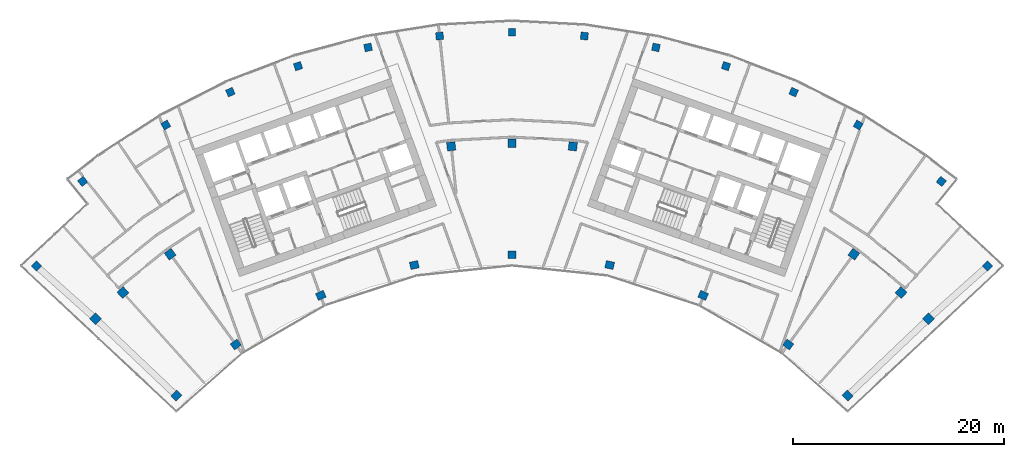
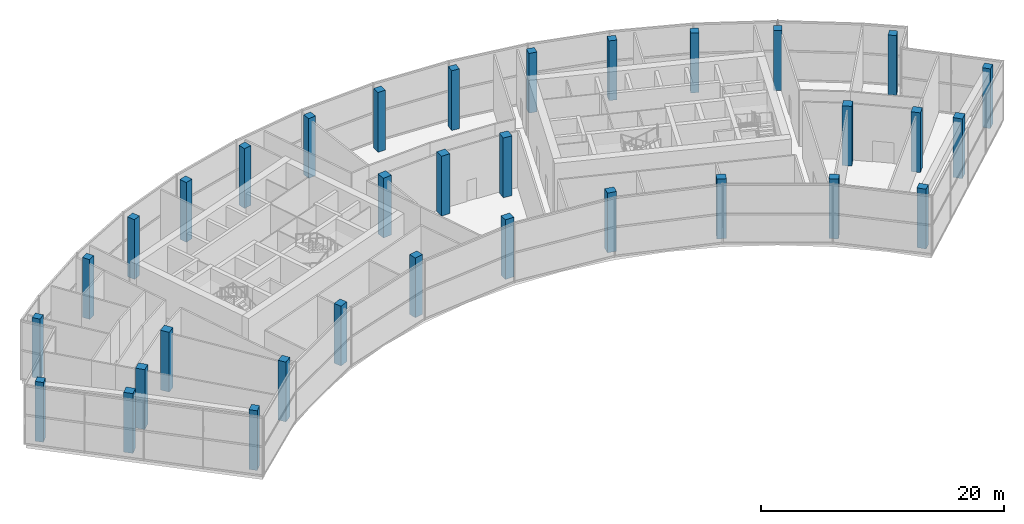
# One storey, part 1 of 18: 33 columns.
"""IFC4 building model written with IfcOpenShell, lengths in metres."""

from ifc_helpers import new_model, si_unit, direction, frame, origin, origin_2d, place, context, subcontext, project, spatial, rectangle, extrude, material, material_profile, profile_set, type_object, element, save


model = new_model("IFC4")

# Units and contexts
model_context = context("Model", 3, precision=1e-05, world=origin(), true_north=direction((0.0, 1.0)))
body_context = subcontext(model_context, "Body", "Model", "MODEL_VIEW")
ifc_project = project(units=[si_unit("LENGTHUNIT", "METRE"), si_unit("AREAUNIT", "SQUARE_METRE"), si_unit("VOLUMEUNIT", "CUBIC_METRE"), si_unit("PLANEANGLEUNIT", "RADIAN"), si_unit("MASSUNIT", "GRAM", prefix="KILO")], contexts=[model_context])

# Site, building, storey
site_placement = place(None, origin())
site = spatial("IfcSite", under=ifc_project, at=site_placement, CompositionType="ELEMENT")
building_placement = place(site_placement, origin())
building = spatial("IfcBuilding", under=site, at=building_placement, Name="Stone Belt Terrace Tower", CompositionType="ELEMENT")
storey_placement = place(building_placement, frame((0.0, 0.0, 307.39990234375)))
storey = spatial("IfcBuildingStorey", under=building, at=storey_placement, Name="L75", CompositionType="ELEMENT", Elevation=307.39990234375)

# Columns
ifc_material = material(Name="Concrete B60", Category="concrete")
ifc_material_profile_1 = material_profile(ifc_material, rectangle(XDim=0.699951171875, YDim=0.699951171875, at=origin_2d()), Name="RC 700x700")
ifc_profile_set_1 = profile_set([ifc_material_profile_1], Name="Concrete B60")
column_type_1 = type_object("IfcColumnType", Name="Column RC 700x700 B60", PredefinedType="COLUMN", material=ifc_profile_set_1)
for number, where, z_axis, x_axis, name in (
    (1, (-44.97705078125, 43.381103515625, 0.0), (0.0, 0.0, 1.0), (0.694221333646, 0.719761585465, 0.0), "Column L75 RA"),
    (2, (44.97705078125, 43.381103515625, 0.0), (0.0, 0.0, 1.0), (0.694221333646, -0.719761585465, 0.0), "Column L75 RB"),
    (3, (-40.605712890625, 51.380615234375, 0.0), (0.0, 0.0, 1.0), (0.784569718703, 0.620040608746, 0.0), "Column L75 RNA"),
    (4, (-32.744384765625, 56.715087890625, 0.0), (0.0, 0.0, 1.0), (0.866025403784, 0.5, 0.0), "Column L75 R17"),
    (5, (-26.63671875, 59.8271484375, 0.0), (0.0, 0.0, 1.0), (0.913545457643, 0.406736643076, 0.0), "Column L75 R18"),
    (6, (-20.2373046875, 62.28369140625, 0.0), (0.0, 0.0, 1.0), (0.951056516295, 0.309016994375, 0.0), "Column L75 R19"),
    (7, (-13.615966796875, 64.057861328125, 0.0), (0.0, 0.0, 1.0), (0.978147600734, 0.207911690818, 0.0), "Column L75 R20"),
    (8, (-6.845458984375, 65.130126953125, 0.0), (0.0, 0.0, 1.0), (0.994521895368, 0.104528463268, 0.0), "Column L75 R21"),
    (9, (0.0, 65.489013671875, 0.0), (0.0, 0.0, 1.0), (1.0, 0.0, 0.0), "Column L75 R22"),
    (10, (6.845458984375, 65.130126953125, 0.0), (0.0, 0.0, 1.0), (0.994521895368, -0.104528463268, 0.0), "Column L75 R23"),
    (11, (13.615966796875, 64.057861328125, 0.0), (0.0, 0.0, 1.0), (0.978147600734, -0.207911690818, 0.0), "Column L75 R24"),
    (12, (20.2373046875, 62.28369140625, 0.0), (0.0, 0.0, 1.0), (0.951056516295, -0.309016994375, 0.0), "Column L75 R25"),
    (13, (26.63671875, 59.8271484375, 0.0), (0.0, 0.0, 1.0), (0.913545457643, -0.406736643076, 0.0), "Column L75 R26"),
    (14, (32.744384765625, 56.715087890625, 0.0), (0.0, 0.0, 1.0), (0.866025403784, -0.5, 0.0), "Column L75 R27"),
    (15, (40.605712890625, 51.380615234375, 0.0), (0.0, 0.0, 1.0), (0.784569718703, -0.620040608746, 0.0), "Column L75 RNB"),
):
    element("IfcColumn", number, at=place(storey_placement, frame(where, z_axis=z_axis, x_axis=x_axis)), inside=storey, type_object=column_type_1, Name=name, PredefinedType="COLUMN", context=body_context, shape_type="SweptSolid", body=[
        extrude(rectangle(XDim=0.699951171875, YDim=0.699951171875, at=origin_2d()), origin(), (0.0, 0.0, 1.0), 6.0),
    ])
ifc_material_profile_2 = material_profile(ifc_material, rectangle(XDim=0.800048828125, YDim=0.699951171875, at=origin_2d()), Name="RC 800x700")
ifc_profile_set_2 = profile_set([ifc_material_profile_2], Name="Concrete B60")
column_type_2 = type_object("IfcColumnType", Name="Column RC 800x700 B60", PredefinedType="COLUMN", material=ifc_profile_set_2)
for number, where, z_axis, x_axis, name in (
    (16, (-31.73486328125, 31.11669921875, 0.0), (0.0, 0.0, 1.0), (0.700119596097, 0.714025595592, 0.0), "Column L75 PA"),
    (17, (-26.1240234375, 35.956787109375, 0.0), (0.0, 0.0, 1.0), (0.809016994375, 0.587785252292, 0.0), "Column L75 P16"),
    (18, (-18.077392578125, 40.6025390625, 0.0), (0.0, 0.0, 1.0), (0.913545457643, 0.406736643076, 0.0), "Column L75 P18"),
    (19, (-9.240478515625, 43.473876953125, 0.0), (0.0, 0.0, 1.0), (0.978147600734, 0.207911690818, 0.0), "Column L75 P20"),
    (20, (0.0, 44.445068359375, 0.0), (0.0, 0.0, 1.0), (1.0, 0.0, 0.0), "Column L75 P22"),
    (21, (9.240478515625, 43.473876953125, 0.0), (0.0, 0.0, 1.0), (0.978147600734, -0.207911690818, 0.0), "Column L75 P24"),
    (22, (18.077392578125, 40.6025390625, 0.0), (0.0, 0.0, 1.0), (0.913545457643, -0.406736643076, 0.0), "Column L75 P26"),
    (23, (26.1240234375, 35.956787109375, 0.0), (0.0, 0.0, 1.0), (0.809016994375, -0.587785252292, 0.0), "Column L75 P28"),
    (24, (31.73486328125, 31.11669921875, 0.0), (0.0, 0.0, 1.0), (0.700119596097, -0.714025595592, 0.0), "Column L75 PB"),
):
    element("IfcColumn", number, at=place(storey_placement, frame(where, z_axis=z_axis, x_axis=x_axis)), inside=storey, type_object=column_type_2, Name=name, PredefinedType="COLUMN", context=body_context, shape_type="SweptSolid", body=[
        extrude(rectangle(XDim=0.800048828125, YDim=0.699951171875, at=origin_2d()), origin(), (0.0, 0.0, 1.0), 6.0),
    ])
ifc_material_profile_3 = material_profile(ifc_material, rectangle(XDim=0.800048828125, YDim=0.800048828125, at=origin_2d()), Name="RC 800x800")
ifc_profile_set_3 = profile_set([ifc_material_profile_3], Name="Concrete B60")
column_type_3 = type_object("IfcColumnType", Name="Column RC 800x800 B60", PredefinedType="COLUMN", material=ifc_profile_set_3)
for number, where, z_axis, x_axis, name in (
    (25, (-39.38818359375, 38.386962890625, 0.0), (0.0, 0.0, 1.0), (0.697944216238, 0.716152128406, 0.0), "Column L75 QA"),
    (26, (-36.80224609375, 40.873046875, 0.0), (0.0, 0.0, 1.0), (0.743144825477, 0.669130606359, 0.0), "Column L75 Q15"),
    (27, (-32.328125, 44.495849609375, 0.0), (0.0, 0.0, 1.0), (0.809016994375, 0.587785252292, 0.0), "Column L75 Q16"),
    (28, (-5.7490234375, 54.69873046875, 0.0), (0.0, 0.0, 1.0), (0.994521895368, 0.104528463268, 0.0), "Column L75 Q21"),
    (29, (0.0, 55.0, 0.0), (0.0, 0.0, 1.0), (1.0, 0.0, 0.0), "Column L75 Q22"),
    (30, (5.7490234375, 54.69873046875, 0.0), (0.0, 0.0, 1.0), (0.994521895368, -0.104528463268, 0.0), "Column L75 Q23"),
    (31, (32.328125, 44.495849609375, 0.0), (0.0, 0.0, 1.0), (0.809016994375, -0.587785252292, 0.0), "Column L75 Q28"),
    (32, (36.80224609375, 40.873046875, 0.0), (0.0, 0.0, 1.0), (0.743144825477, -0.669130606359, 0.0), "Column L75 Q29"),
    (33, (39.38818359375, 38.386962890625, 0.0), (0.0, 0.0, 1.0), (0.697944216238, -0.716152128406, 0.0), "Column L75 QB"),
):
    element("IfcColumn", number, at=place(storey_placement, frame(where, z_axis=z_axis, x_axis=x_axis)), inside=storey, type_object=column_type_3, Name=name, PredefinedType="COLUMN", context=body_context, shape_type="SweptSolid", body=[
        extrude(rectangle(XDim=0.800048828125, YDim=0.800048828125, at=origin_2d()), origin(), (0.0, 0.0, 1.0), 6.0),
    ])

save(model, "model.ifc")
